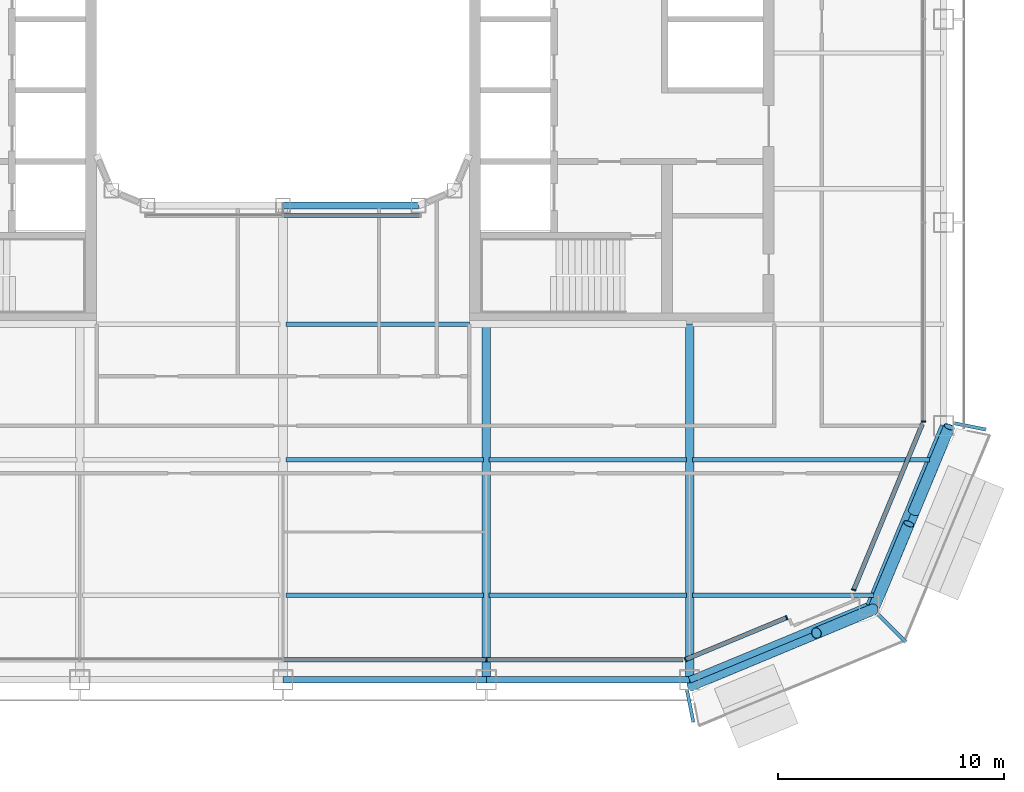
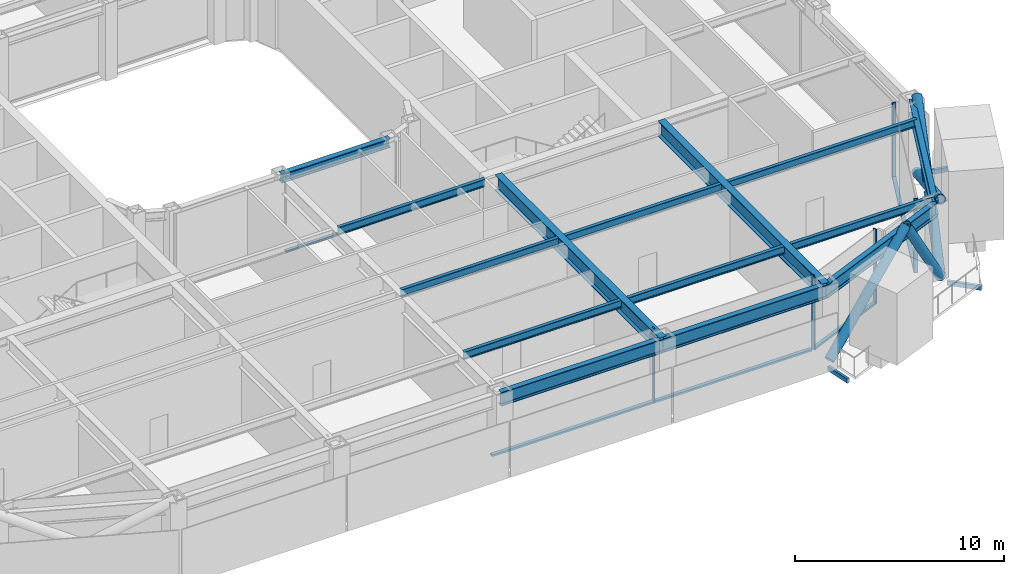
# One storey, part 4 of 23: 17 beams, 15 members, 5 elements without a shape of their own.
"""IFC4 building model written with IfcOpenShell, lengths in metres."""

import ifcopenshell
import ifcopenshell.guid

model = None  # the IFC model being written
_history = None  # IfcOwnerHistory: only IFC2X3 demands one
_inside = {}  # id of a spatial element -> (the spatial element, [elements in it])
_under = {}  # id of a project, library or spatial element -> (it, [spatial elements below it])
_declared = {}  # id of a project -> (the project, [libraries it declares])
_typed = {}  # id of a type object -> (the type object, [elements of that type])
_made_of = {}  # id of a material, layer set ... -> (it, [elements and type objects made of it])


def new_model(schema):
    """Start an empty IFC model of exactly this schema.

    Asked for "IFC4X3", IfcOpenShell would pick the latest addendum, in which some entities
    have other attributes; the version numbers below select the first issue.
    IFC2X3 requires an IfcOwnerHistory on every rooted entity: one is made here for all.
    """
    global model, _history
    if schema == "IFC4X3":
        model = ifcopenshell.file(schema_version=(4, 3, 0, 0))
    else:
        model = ifcopenshell.file(schema=schema)
    _inside.clear()
    _under.clear()
    _declared.clear()
    _typed.clear()
    _made_of.clear()
    _history = None
    if model.schema == "IFC2X3":
        org = make("IfcOrganization", Name="unknown")
        user = make(
            "IfcPersonAndOrganization",
            ThePerson=make("IfcPerson", FamilyName="unknown"),
            TheOrganization=org,
        )
        app = make(
            "IfcApplication",
            ApplicationDeveloper=org,
            Version="unknown",
            ApplicationFullName="unknown",
            ApplicationIdentifier="unknown",
        )
        _history = make(
            "IfcOwnerHistory",
            OwningUser=user,
            OwningApplication=app,
            ChangeAction="ADDED",
            CreationDate=0,
        )
    return model


def make(cls, **values):
    """One entity of the class cls with the attributes given. An attribute that is None is left unset."""
    return model.create_entity(
        cls, **{name: value for name, value in values.items() if value is not None}
    )


def rooted(cls, **values):
    """An entity with a GlobalId (a new one), such as an element, a storey or a relation."""
    return make(cls, GlobalId=ifcopenshell.guid.new(), OwnerHistory=_history, **values)


def si_unit(unit_type, name, prefix=None):
    """IfcSIUnit, for example si_unit("LENGTHUNIT", "METRE", prefix="MILLI")."""
    return make("IfcSIUnit", UnitType=unit_type, Prefix=prefix, Name=name)


def assignment(units):
    """IfcUnitAssignment: the units of a project."""
    return None if units is None else make("IfcUnitAssignment", Units=units)


def point(xyz):
    """IfcCartesianPoint."""
    return None if xyz is None else make("IfcCartesianPoint", Coordinates=xyz)


def direction(xyz):
    """IfcDirection."""
    return None if xyz is None else make("IfcDirection", DirectionRatios=xyz)


def frame(location, z_axis=None, x_axis=None):
    """IfcAxis2Placement3D, a coordinate frame: its origin and axes. An axis left out is left unset."""
    return make(
        "IfcAxis2Placement3D",
        Location=point(location),
        Axis=direction(z_axis),
        RefDirection=direction(x_axis),
    )


def frame_2d(location, x_axis=None):
    """IfcAxis2Placement2D, a coordinate frame in the plane: its origin and x axis."""
    return make(
        "IfcAxis2Placement2D", Location=point(location), RefDirection=direction(x_axis)
    )


def origin():
    """The frame at (0, 0, 0) with its axes left unset."""
    return frame((0.0, 0.0, 0.0))


def origin_2d():
    """The frame at (0, 0) in the plane with its x axis left unset."""
    return frame_2d((0.0, 0.0))


def place(relative_to, where):
    """IfcLocalPlacement: puts the frame where relative to a parent placement (None: the world)."""
    return make(
        "IfcLocalPlacement", PlacementRelTo=relative_to, RelativePlacement=where
    )


def context(
    kind, dimensions, precision=None, world=None, true_north=None, identifier=None
):
    """IfcGeometricRepresentationContext, for example the 3D "Model" context."""
    return make(
        "IfcGeometricRepresentationContext",
        ContextIdentifier=identifier,
        ContextType=kind,
        CoordinateSpaceDimension=dimensions,
        Precision=precision,
        WorldCoordinateSystem=world,
        TrueNorth=true_north,
    )


def subcontext(parent, identifier, kind, view, scale=None):
    """IfcGeometricRepresentationSubContext, for example "Body" below "Model"."""
    return make(
        "IfcGeometricRepresentationSubContext",
        ContextIdentifier=identifier,
        ContextType=kind,
        ParentContext=parent,
        TargetScale=scale,
        TargetView=view,
    )


def project(units=None, contexts=None):
    """IfcProject with its units and contexts."""
    return rooted(
        "IfcProject",
        Name="project",
        RepresentationContexts=contexts,
        UnitsInContext=assignment(units),
    )


def spatial(cls, under=None, at=None, **own):
    """A site, building, storey or space (cls), placed at a placement, below another one or the project."""
    s = rooted(cls, ObjectPlacement=at, **own)
    if under is not None:
        _under.setdefault(under.id(), (under, []))[1].append(s)
    return s


def profile(cls, at=None, kind="AREA", **sizes):
    """A parametric profile (cls). Its sizes go by their IFC names, for example OverallWidth=200.0."""
    return make(cls, ProfileType=kind, Position=at, **sizes)


def rectangle(**sizes):
    """IfcRectangleProfileDef."""
    return profile("IfcRectangleProfileDef", **sizes)


def hollow_rectangle(**sizes):
    """IfcRectangleHollowProfileDef."""
    return profile("IfcRectangleHollowProfileDef", **sizes)


def hollow_circle(**sizes):
    """IfcCircleHollowProfileDef."""
    return profile("IfcCircleHollowProfileDef", **sizes)


def i_section(**sizes):
    """IfcIShapeProfileDef."""
    return profile("IfcIShapeProfileDef", **sizes)


def extrude(swept, where, along, depth):
    """IfcExtrudedAreaSolid: the profile swept, set in the frame where, extruded along a direction by depth."""
    return make(
        "IfcExtrudedAreaSolid",
        SweptArea=swept,
        Position=where,
        ExtrudedDirection=direction(along),
        Depth=depth,
    )


def shape(context_of_items, identifier, shape_type, items):
    """IfcShapeRepresentation: the items that make up one representation, for example the "Body"."""
    return make(
        "IfcShapeRepresentation",
        ContextOfItems=context_of_items,
        RepresentationIdentifier=identifier,
        RepresentationType=shape_type,
        Items=items,
    )


def material(Name=None, Category=None):
    """IfcMaterial."""
    return make("IfcMaterial", Name=Name, Category=Category)


def layer(
    of_material, thickness, ventilated=None, Name=None, Category=None, Priority=None
):
    """IfcMaterialLayer: one layer of a wall or slab, of a material (None: an air gap)."""
    return make(
        "IfcMaterialLayer",
        Material=of_material,
        LayerThickness=thickness,
        IsVentilated=ventilated,
        Name=Name,
        Category=Category,
        Priority=Priority,
    )


def layer_set(layers, Name=None):
    """IfcMaterialLayerSet."""
    return make("IfcMaterialLayerSet", MaterialLayers=layers, LayerSetName=Name)


def material_profile(
    of_material, cross_section, Name=None, Category=None, Priority=None
):
    """IfcMaterialProfile: a cross section and its material."""
    return make(
        "IfcMaterialProfile",
        Name=Name,
        Material=of_material,
        Profile=cross_section,
        Priority=Priority,
        Category=Category,
    )


def profile_set(profiles, Name=None, composite=None):
    """IfcMaterialProfileSet."""
    return make(
        "IfcMaterialProfileSet",
        Name=Name,
        MaterialProfiles=profiles,
        CompositeProfile=composite,
    )


def made_of(thing, what):
    """Note that an element or type object is made of a material, layer set ...; save() writes the relation."""
    if what is not None:
        _made_of.setdefault(what.id(), (what, []))[1].append(thing)
    return thing


def type_object(cls, material=None, **own):
    """A type object (cls), such as IfcWallType, which elements share."""
    return made_of(rooted(cls, **own), material)


def element(
    cls,
    number,
    at=None,
    inside=None,
    cuts=None,
    type_object=None,
    material=None,
    context=None,
    identifier="Body",
    shape_type=None,
    held_by="IfcProductDefinitionShape",
    body=None,
    shapes=None,
    **own,
):
    """One element of the class cls, such as IfcWall. Its Tag is "e" and its number.

    at: its placement. inside: the storey or other place that contains it. cuts: it is an
    opening in that element (IfcRelVoidsElement). A single representation is given by context,
    identifier, shape_type and body (its items); several are given by shapes. held_by: the class
    of the entity that holds the representations. save() writes the other relations.
    """
    e = rooted(cls, Tag="e%d" % number, ObjectPlacement=at, **own)
    if body is not None:
        shapes = [shape(context, identifier, shape_type, body)]
    if shapes is not None:
        e.Representation = make(held_by, Representations=shapes)
    if inside is not None:
        _inside.setdefault(inside.id(), (inside, []))[1].append(e)
    if cuts is not None:
        rooted(
            "IfcRelVoidsElement", RelatingBuildingElement=cuts, RelatedOpeningElement=e
        )
    if type_object is not None:
        _typed.setdefault(type_object.id(), (type_object, []))[1].append(e)
    return made_of(e, material)


def aggregate(whole, parts):
    """IfcRelAggregates: a whole, such as a stair, and the parts it consists of."""
    return rooted("IfcRelAggregates", RelatingObject=whole, RelatedObjects=parts)


def save(model, path):
    """Write the relations noted so far, then the file.

    IfcRelAggregates (storeys below a building ...), IfcRelContainedInSpatialStructure (elements
    in a storey), IfcRelDefinesByType, IfcRelAssociatesMaterial and IfcRelDeclares: one each for
    every whole, place, type object, material and project.
    """
    for whole, parts in _under.values():
        aggregate(whole, parts)
    for where, things in _inside.values():
        rooted(
            "IfcRelContainedInSpatialStructure",
            RelatedElements=things,
            RelatingStructure=where,
        )
    for kind, things in _typed.values():
        rooted("IfcRelDefinesByType", RelatedObjects=things, RelatingType=kind)
    for what, things in _made_of.values():
        rooted("IfcRelAssociatesMaterial", RelatedObjects=things, RelatingMaterial=what)
    for by, libraries in _declared.values():
        rooted("IfcRelDeclares", RelatingContext=by, RelatedDefinitions=libraries)
    model.write(path)


model = new_model("IFC4")

# Units and contexts
model_context = context("Model", 3, precision=1e-05, world=origin(), true_north=direction((0.0, 1.0)))
body_context = subcontext(model_context, "Body", "Model", "MODEL_VIEW")
ifc_project = project(units=[si_unit("LENGTHUNIT", "METRE"), si_unit("AREAUNIT", "SQUARE_METRE"), si_unit("VOLUMEUNIT", "CUBIC_METRE"), si_unit("PLANEANGLEUNIT", "RADIAN"), si_unit("MASSUNIT", "GRAM", prefix="KILO")], contexts=[model_context])

# Site, building, storey
site_placement = place(None, origin())
site = spatial("IfcSite", under=ifc_project, at=site_placement, CompositionType="ELEMENT")
building_placement = place(site_placement, origin())
building = spatial("IfcBuilding", under=site, at=building_placement, Name="Siwar Civic Tower", CompositionType="ELEMENT")
storey_placement = place(building_placement, frame((0.0, 0.0, 163.199951171875)))
storey = spatial("IfcBuildingStorey", under=building, at=storey_placement, Name="L35", CompositionType="ELEMENT", Elevation=163.199951171875)

# Beams
ifc_material_1 = material(Name="Steel S355", Category="steel")
ifc_material_profile_1 = material_profile(ifc_material_1, hollow_rectangle(XDim=0.14990234375, YDim=0.25, WallThickness=0.010009765625, at=origin_2d()), Name="RHS250x150x10")
ifc_profile_set_1 = profile_set([ifc_material_profile_1], Name="Steel S355")
beam_type_1 = type_object("IfcBeamType", Name="ENV-BALCONY ARM", PredefinedType="BEAM", material=ifc_profile_set_1)
beam_1_placement = place(storey_placement, frame((17.887451171875, -29.709716796875, -0.27490234375), z_axis=(0.195191657493, -0.980765118081, 0.0), x_axis=(0.980765118081, 0.195191657493, 0.0)))
element("IfcBeam", 1, at=beam_1_placement, inside=storey, type_object=beam_type_1, Name="Balcony cantilever beam SE 1", PredefinedType="BEAM", context=body_context, shape_type="SweptSolid", body=[
    extrude(hollow_rectangle(XDim=0.14990234375, YDim=0.25, WallThickness=0.010009765625, at=origin_2d()), origin(), (0.0, 0.0, 1.0), 1.422119140625),
])
beam_2_placement = place(storey_placement, frame((26.36962890625, -26.36962890625, -0.27490234375), z_axis=(0.707106781187, -0.707106781187, 0.0), x_axis=(0.707106781187, 0.707106781187, 0.0)))
element("IfcBeam", 2, at=beam_2_placement, inside=storey, type_object=beam_type_1, Name="Balcony cantilever beam SE 2", PredefinedType="BEAM", context=body_context, shape_type="SweptSolid", body=[
    extrude(hollow_rectangle(XDim=0.14990234375, YDim=0.25, WallThickness=0.010009765625, at=origin_2d()), origin(), (0.0, 0.0, 1.0), 1.6865234375),
])
beam_3_placement = place(storey_placement, frame((29.709716796875, -17.887451171875, -0.27490234375), z_axis=(0.980765118081, -0.195191657493, 0.0), x_axis=(0.195191657493, 0.980765118081, 0.0)))
element("IfcBeam", 3, at=beam_3_placement, inside=storey, type_object=beam_type_1, Name="Balcony cantilever beam SE 3", PredefinedType="BEAM", context=body_context, shape_type="SweptSolid", body=[
    extrude(hollow_rectangle(XDim=0.14990234375, YDim=0.25, WallThickness=0.010009765625, at=origin_2d()), origin(), (0.0, 0.0, 1.0), 1.422119140625),
])

# Curtain wall, member
ifc_material_2 = material(Name="Aluminium and glass", Category="aluminium")
ifc_layer_1 = layer(ifc_material_2, 0.199951171875)
ifc_layer_set_1 = layer_set([ifc_layer_1], Name="Aluminium and glass")
curtain_wall_type_1 = type_object("IfcCurtainWallType", Name="ENV-CW-B", PredefinedType="NOTDEFINED", material=ifc_layer_set_1)
curtain_wall_1_placement = place(storey_placement, origin())
curtain_wall_1 = element("IfcCurtainWall", 4, at=curtain_wall_1_placement, inside=storey, type_object=curtain_wall_type_1, Name="Curtain wall B S", PredefinedType="NOTDEFINED")
ifc_material_3 = material(Name="Aluminium 6063-T6", Category="aluminium")
ifc_material_profile_2 = material_profile(ifc_material_3, rectangle(XDim=0.199951171875, YDim=0.06494140625, at=origin_2d()), Name="AL 200x65")
ifc_profile_set_2 = profile_set([ifc_material_profile_2], Name="Aluminium 6063-T6")
member_type_1 = type_object("IfcMemberType", Name="ENV-MULLION-B", PredefinedType="MULLION", material=ifc_profile_set_2)
member_1_placement = place(storey_placement, frame((9.0, -28.35009765625, 0.0), z_axis=(0.0, 0.0, 1.0), x_axis=(0.0, 1.0, 0.0)))
member_1 = element("IfcMember", 5, at=member_1_placement, type_object=member_type_1, Name="Mullion B S 4", PredefinedType="MULLION", context=body_context, shape_type="SweptSolid", body=[
    extrude(rectangle(XDim=0.199951171875, YDim=0.06494140625, at=origin_2d()), origin(), (0.0, 0.0, 1.0), 4.35009765625),
])

# Curtain wall, members
ifc_material_4 = material(Name="Aluminium clad insulated panel", Category="aluminium")
ifc_layer_2 = layer(ifc_material_4, 0.199951171875)
ifc_layer_set_2 = layer_set([ifc_layer_2], Name="Aluminium clad insulated panel")
curtain_wall_type_2 = type_object("IfcCurtainWallType", Name="ENV-CW-BX", PredefinedType="NOTDEFINED", material=ifc_layer_set_2)
curtain_wall_2_placement = place(storey_placement, origin())
curtain_wall_2 = element("IfcCurtainWall", 6, at=curtain_wall_2_placement, inside=storey, type_object=curtain_wall_type_2, Name="Curtain wall B SE1", PredefinedType="NOTDEFINED")
member_2_placement = place(storey_placement, frame((17.821044921875, -28.35009765625, 0.0), z_axis=(0.0, 0.0, 1.0), x_axis=(-0.382683432365, 0.923879532511, 0.0)))
member_2 = element("IfcMember", 7, at=member_2_placement, type_object=member_type_1, Name="Mullion B SE1 1", PredefinedType="MULLION", context=body_context, shape_type="SweptSolid", body=[
    extrude(rectangle(XDim=0.199951171875, YDim=0.06494140625, at=origin_2d()), origin(), (0.0, 0.0, 1.0), 4.35009765625),
])
member_3_placement = place(storey_placement, frame((22.299072265625, -26.4951171875, 0.0), z_axis=(0.0, 0.0, 1.0), x_axis=(-0.382683432365, 0.923879532511, 0.0)))
member_3 = element("IfcMember", 8, at=member_3_placement, type_object=member_type_1, Name="Mullion B SE1 2", PredefinedType="MULLION", context=body_context, shape_type="SweptSolid", body=[
    extrude(rectangle(XDim=0.199951171875, YDim=0.06494140625, at=origin_2d()), origin(), (0.0, 0.0, 1.0), 4.35009765625),
])

# Curtain wall, member
curtain_wall_3_placement = place(storey_placement, origin())
curtain_wall_3 = element("IfcCurtainWall", 9, at=curtain_wall_3_placement, inside=storey, type_object=curtain_wall_type_2, Name="Curtain wall B SE2", PredefinedType="NOTDEFINED")
member_4_placement = place(storey_placement, frame((25.26611328125, -25.26611328125, 0.0), z_axis=(0.0, 0.0, 1.0), x_axis=(-0.923879532511, 0.382683432365, 0.0)))
member_4 = element("IfcMember", 10, at=member_4_placement, type_object=member_type_1, Name="Mullion B SE2 1", PredefinedType="MULLION", context=body_context, shape_type="SweptSolid", body=[
    extrude(rectangle(XDim=0.199951171875, YDim=0.06494140625, at=origin_2d()), origin(), (0.0, 0.0, 1.0), 4.35009765625),
])

curtain_wall_4_placement = place(storey_placement, origin())
curtain_wall_4 = element("IfcCurtainWall", 11, at=curtain_wall_4_placement, inside=storey, type_object=curtain_wall_type_1, Name="Curtain wall B E", PredefinedType="NOTDEFINED")
member_5_placement = place(storey_placement, frame((28.35009765625, -17.821044921875, 0.0), z_axis=(0.0, 0.0, 1.0), x_axis=(-1.0, 0.0, 0.0)))
member_5 = element("IfcMember", 12, at=member_5_placement, type_object=member_type_1, Name="Mullion B E 1", PredefinedType="MULLION", context=body_context, shape_type="SweptSolid", body=[
    extrude(rectangle(XDim=0.199951171875, YDim=0.06494140625, at=origin_2d()), origin(), (0.0, 0.0, 1.0), 4.35009765625),
])
aggregate(curtain_wall_4, [member_5])

# Member
ifc_material_5 = material(Name="Aluminium 6063-T6", Category="aluminium")
ifc_material_profile_3 = material_profile(ifc_material_5, rectangle(XDim=0.199951171875, YDim=0.110107421875, at=origin_2d()), Name="AL 200x110")
ifc_profile_set_3 = profile_set([ifc_material_profile_3], Name="Aluminium 6063-T6")
member_type_2 = type_object("IfcMemberType", Name="ENV-TRANSOM-B", PredefinedType="USERDEFINED", material=ifc_profile_set_3)
member_6_placement = place(storey_placement, frame((0.032470703125, -28.35009765625, 0.054931640625), z_axis=(1.0, 0.0, 0.0), x_axis=(0.0, 1.0, 0.0)))
member_6 = element("IfcMember", 13, at=member_6_placement, type_object=member_type_2, Name="Transom B S 3", ObjectType="TRANSOM", PredefinedType="USERDEFINED", context=body_context, shape_type="SweptSolid", body=[
    extrude(rectangle(XDim=0.199951171875, YDim=0.110107421875, at=origin_2d()), origin(), (0.0, 0.0, 1.0), 8.93505859375),
])

member_7_placement = place(storey_placement, frame((9.032470703125, -28.35009765625, 0.054931640625), z_axis=(1.0, 0.0, 0.0), x_axis=(0.0, 1.0, 0.0)))
member_7 = element("IfcMember", 14, at=member_7_placement, type_object=member_type_2, Name="Transom B S 4", ObjectType="TRANSOM", PredefinedType="USERDEFINED", context=body_context, shape_type="SweptSolid", body=[
    extrude(rectangle(XDim=0.199951171875, YDim=0.110107421875, at=origin_2d()), origin(), (0.0, 0.0, 1.0), 8.6748046875),
])

aggregate(curtain_wall_1, [member_1, member_6, member_7])

member_8_placement = place(storey_placement, frame((17.85107421875, -28.337646484375, 0.054931640625), z_axis=(0.923872467912, 0.382700487371, 0.0), x_axis=(-0.382700487371, 0.923872467912, 0.0)))
member_8 = element("IfcMember", 15, at=member_8_placement, type_object=member_type_2, Name="Transom B SE1 1", ObjectType="TRANSOM", PredefinedType="USERDEFINED", context=body_context, shape_type="SweptSolid", body=[
    extrude(rectangle(XDim=0.199951171875, YDim=0.110107421875, at=origin_2d()), origin(), (0.0, 0.0, 1.0), 4.781982421875),
])

aggregate(curtain_wall_2, [member_2, member_3, member_8])

member_9_placement = place(storey_placement, frame((25.278564453125, -25.236083984375, 0.054931640625), z_axis=(0.382673358825, 0.923883705044, 0.0), x_axis=(-0.923883705044, 0.382673358825, 0.0)))
member_9 = element("IfcMember", 16, at=member_9_placement, type_object=member_type_2, Name="Transom B SE2 1", ObjectType="TRANSOM", PredefinedType="USERDEFINED", context=body_context, shape_type="SweptSolid", body=[
    extrude(rectangle(XDim=0.199951171875, YDim=0.110107421875, at=origin_2d()), origin(), (0.0, 0.0, 1.0), 7.912353515625),
])

aggregate(curtain_wall_3, [member_4, member_9])

# Curtain wall, member
ifc_material_6 = material(Name="Aluminium and glass", Category="aluminium")
ifc_layer_3 = layer(ifc_material_6, 0.179931640625)
ifc_layer_set_3 = layer_set([ifc_layer_3], Name="Aluminium and glass")
curtain_wall_type_3 = type_object("IfcCurtainWallType", Name="ENV-CW-W", PredefinedType="NOTDEFINED", material=ifc_layer_set_3)
curtain_wall_5_placement = place(storey_placement, origin())
curtain_wall_5 = element("IfcCurtainWall", 17, at=curtain_wall_5_placement, inside=storey, type_object=curtain_wall_type_3, Name="Curtain wall W WS", PredefinedType="NOTDEFINED")
ifc_material_7 = material(Name="Aluminium 6063-T6", Category="aluminium")
ifc_material_profile_4 = material_profile(ifc_material_7, rectangle(XDim=0.179931640625, YDim=0.10009765625, at=origin_2d()), Name="AL 180x100")
ifc_profile_set_4 = profile_set([ifc_material_profile_4], Name="Aluminium 6063-T6")
member_type_3 = type_object("IfcMemberType", Name="ENV-TRANSOM-W", PredefinedType="USERDEFINED", material=ifc_profile_set_4)
member_10_placement = place(storey_placement, frame((0.030029296875, -8.68505859375, 0.050048828125), z_axis=(1.0, 0.0, 0.0), x_axis=(0.0, 1.0, 0.0)))
member_10 = element("IfcMember", 18, at=member_10_placement, type_object=member_type_3, Name="Transom W WS 2", ObjectType="TRANSOM", PredefinedType="USERDEFINED", context=body_context, shape_type="SweptSolid", body=[
    extrude(rectangle(XDim=0.179931640625, YDim=0.10009765625, at=origin_2d()), origin(), (0.0, 0.0, 1.0), 6.026611328125),
])
aggregate(curtain_wall_5, [member_10])

# Members
ifc_material_8 = material(Name="Steel S355", Category="steel")
ifc_material_profile_5 = material_profile(ifc_material_8, hollow_circle(Radius=0.25390625, WallThickness=0.02490234375, at=origin_2d()), Name="CHS508x25")
ifc_profile_set_5 = profile_set([ifc_material_profile_5], Name="Steel S355")
member_type_4 = type_object("IfcMemberType", Name="STR-BR-CHS508x25", PredefinedType="BRACE", material=ifc_profile_set_5)
member_11_placement = place(storey_placement, frame((29.4951171875, -18.048828125, 0.0), z_axis=(-0.341671493852, -0.821142553604, 0.457149315816), x_axis=(0.923264922524, -0.384163874976, 0.0)))
element("IfcMember", 19, at=member_11_placement, inside=storey, type_object=member_type_4, Name="L35/brc/BSE1-14-0-1", PredefinedType="BRACE", context=body_context, shape_type="SweptSolid", body=[
    extrude(hollow_circle(Radius=0.25390625, WallThickness=0.02490234375, at=origin_2d()), origin(), (0.0, 0.0, 1.0), 9.843505859375),
])
member_12_placement = place(storey_placement, frame((26.1318359375, -26.1318359375, 0.0), z_axis=(0.341662474736, 0.821143275065, 0.457154760636), x_axis=(-0.923268638995, 0.384154943021, 0.0)))
element("IfcMember", 20, at=member_12_placement, inside=storey, type_object=member_type_4, Name="L35/brc/BSE1-14-0-2", PredefinedType="BRACE", context=body_context, shape_type="SweptSolid", body=[
    extrude(hollow_circle(Radius=0.25390625, WallThickness=0.02490234375, at=origin_2d()), origin(), (0.0, 0.0, 1.0), 4.61474609375),
])
member_13_placement = place(storey_placement, frame((27.91845703125, -21.837890625, 2.390625), z_axis=(0.34168558233, 0.821145902409, 0.457132770413), x_axis=(-0.923259859753, 0.384176042158, 0.0)))
element("IfcMember", 21, at=member_13_placement, inside=storey, type_object=member_type_4, Name="L35/brc/BSE1-14-0-3", PredefinedType="BRACE", context=body_context, shape_type="SweptSolid", body=[
    extrude(hollow_circle(Radius=0.25390625, WallThickness=0.02490234375, at=origin_2d()), origin(), (0.0, 0.0, 1.0), 4.6142578125),
])
member_14_placement = place(storey_placement, frame((18.048828125, -29.4951171875, 0.0), z_axis=(0.739973158344, 0.307903068035, 0.598026275029), x_axis=(-0.384169803352, 0.923262455747, 0.0)))
element("IfcMember", 22, at=member_14_placement, inside=storey, type_object=member_type_4, Name="L35/brc/BSE1-14-0-0", PredefinedType="BRACE", context=body_context, shape_type="SweptSolid", body=[
    extrude(hollow_circle(Radius=0.25390625, WallThickness=0.02490234375, at=origin_2d()), origin(), (0.0, 0.0, 1.0), 7.524658203125),
])
member_15_placement = place(storey_placement, frame((26.1318359375, -26.1318359375, 0.0), z_axis=(-0.478099094869, -0.198925611165, 0.855482236349), x_axis=(0.384150749045, -0.92327038402, 0.0)))
element("IfcMember", 23, at=member_15_placement, inside=storey, type_object=member_type_4, Name="L35/brc/BSE1-14-0-6", PredefinedType="BRACE", context=body_context, shape_type="SweptSolid", body=[
    extrude(hollow_circle(Radius=0.25390625, WallThickness=0.02490234375, at=origin_2d()), origin(), (0.0, 0.0, 1.0), 5.26025390625),
])

# Beams
ifc_material_9 = material(Name="Steel S355", Category="steel")
ifc_material_profile_6 = material_profile(ifc_material_9, i_section(OverallWidth=0.18994140625, OverallDepth=0.449951171875, WebThickness=0.009521484375, FlangeThickness=0.0146484375, FilletRadius=0.02099609375, at=origin_2d()), Name="IPE450")
ifc_profile_set_6 = profile_set([ifc_material_profile_6], Name="Steel S355")
beam_type_2 = type_object("IfcBeamType", Name="STR-FB-IPE450", PredefinedType="JOIST", material=ifc_profile_set_6)
for number, where, z_axis, x_axis, name in (
    (24, (0.1298828125, -25.5, 4.125), (1.0, 0.0, 0.0), (0.0, 1.0, 0.0), "L35/bm/F004"),
    (25, (9.1298828125, -25.5, 4.125), (1.0, 0.0, 0.0), (0.0, 1.0, 0.0), "L35/bm/F005"),
):
    element("IfcBeam", number, at=place(storey_placement, frame(where, z_axis=z_axis, x_axis=x_axis)), inside=storey, type_object=beam_type_2, Name=name, PredefinedType="JOIST", context=body_context, shape_type="SweptSolid", body=[
        extrude(i_section(OverallWidth=0.18994140625, OverallDepth=0.449951171875, WebThickness=0.009521484375, FlangeThickness=0.0146484375, FilletRadius=0.02099609375, at=origin_2d()), origin(), (0.0, 0.0, 1.0), 8.740234375),
    ])
beam_4_placement = place(storey_placement, frame((18.1298828125, -25.5, 4.125), z_axis=(1.0, 0.0, 0.0), x_axis=(0.0, 1.0, 0.0)))
element("IfcBeam", 26, at=beam_4_placement, inside=storey, type_object=beam_type_2, Name="L35/bm/F006", PredefinedType="JOIST", context=body_context, shape_type="SweptSolid", body=[
    extrude(i_section(OverallWidth=0.18994140625, OverallDepth=0.449951171875, WebThickness=0.009521484375, FlangeThickness=0.0146484375, FilletRadius=0.02099609375, at=origin_2d()), origin(), (0.0, 0.0, 1.0), 8.013427734375),
])
for number, where, z_axis, x_axis, name in (
    (27, (0.1298828125, -19.5, 4.125), (1.0, 0.0, 0.0), (0.0, 1.0, 0.0), "L35/bm/F010"),
    (28, (9.1298828125, -19.5, 4.125), (1.0, 0.0, 0.0), (0.0, 1.0, 0.0), "L35/bm/F011"),
):
    element("IfcBeam", number, at=place(storey_placement, frame(where, z_axis=z_axis, x_axis=x_axis)), inside=storey, type_object=beam_type_2, Name=name, PredefinedType="JOIST", context=body_context, shape_type="SweptSolid", body=[
        extrude(i_section(OverallWidth=0.18994140625, OverallDepth=0.449951171875, WebThickness=0.009521484375, FlangeThickness=0.0146484375, FilletRadius=0.02099609375, at=origin_2d()), origin(), (0.0, 0.0, 1.0), 8.740234375),
    ])
beam_5_placement = place(storey_placement, frame((18.1298828125, -19.5, 4.125), z_axis=(1.0, 0.0, 0.0), x_axis=(0.0, 1.0, 0.0)))
element("IfcBeam", 29, at=beam_5_placement, inside=storey, type_object=beam_type_2, Name="L35/bm/F012", PredefinedType="JOIST", context=body_context, shape_type="SweptSolid", body=[
    extrude(i_section(OverallWidth=0.18994140625, OverallDepth=0.449951171875, WebThickness=0.009521484375, FlangeThickness=0.0146484375, FilletRadius=0.02099609375, at=origin_2d()), origin(), (0.0, 0.0, 1.0), 10.498779296875),
])
beam_6_placement = place(storey_placement, frame((0.1298828125, -13.5, 4.125), z_axis=(1.0, 0.0, 0.0), x_axis=(0.0, 1.0, 0.0)))
element("IfcBeam", 30, at=beam_6_placement, inside=storey, type_object=beam_type_2, Name="L35/bm/F017", PredefinedType="JOIST", context=body_context, shape_type="SweptSolid", body=[
    extrude(i_section(OverallWidth=0.18994140625, OverallDepth=0.449951171875, WebThickness=0.009521484375, FlangeThickness=0.0146484375, FilletRadius=0.02099609375, at=origin_2d()), origin(), (0.0, 0.0, 1.0), 8.1201171875),
])
ifc_material_10 = material(Name="Steel S355", Category="steel")
ifc_material_profile_7 = material_profile(ifc_material_10, i_section(OverallWidth=0.3798828125, OverallDepth=0.89990234375, WebThickness=0.01611328125, FlangeThickness=0.035888671875, at=origin_2d()), Name="PG900x380x16x36")
ifc_profile_set_7 = profile_set([ifc_material_profile_7], Name="Steel S355")
beam_type_3 = type_object("IfcBeamType", Name="STR-PG-PG900x380x16x36", PredefinedType="BEAM", material=ifc_profile_set_7)
for number, where, z_axis, x_axis, name in (
    (31, (9.0, -29.25, 3.900146484375), (0.0, 1.0, 0.0), (-1.0, 0.0, 0.0), "L35/bm/G07"),
    (32, (18.0, -29.25, 3.900146484375), (0.0, 1.0, 0.0), (-1.0, 0.0, 0.0), "L35/bm/G09"),
):
    element("IfcBeam", number, at=place(storey_placement, frame(where, z_axis=z_axis, x_axis=x_axis)), inside=storey, type_object=beam_type_3, Name=name, PredefinedType="BEAM", context=body_context, shape_type="SweptSolid", body=[
        extrude(i_section(OverallWidth=0.3798828125, OverallDepth=0.89990234375, WebThickness=0.01611328125, FlangeThickness=0.035888671875, at=origin_2d()), origin(), (0.0, 0.0, 1.0), 15.75),
    ])
ifc_material_11 = material(Name="Steel S355", Category="steel")
ifc_material_profile_8 = material_profile(ifc_material_11, i_section(OverallWidth=0.305908203125, OverallDepth=0.52392578125, WebThickness=0.02099609375, FlangeThickness=0.0400390625, FilletRadius=0.027099609375, at=origin_2d()), Name="HEM500")
ifc_profile_set_8 = profile_set([ifc_material_profile_8], Name="Steel S355")
beam_type_4 = type_object("IfcBeamType", Name="STR-RB-HEM500", PredefinedType="BEAM", material=ifc_profile_set_8)
beam_7_placement = place(storey_placement, frame((0.0, -8.25, 4.088134765625), z_axis=(1.0, 0.0, 0.0), x_axis=(0.0, 1.0, 0.0)))
element("IfcBeam", 33, at=beam_7_placement, inside=storey, type_object=beam_type_4, Name="L35/bm/RS2", PredefinedType="BEAM", context=body_context, shape_type="SweptSolid", body=[
    extrude(i_section(OverallWidth=0.305908203125, OverallDepth=0.52392578125, WebThickness=0.02099609375, FlangeThickness=0.0400390625, FilletRadius=0.027099609375, at=origin_2d()), origin(), (0.0, 0.0, 1.0), 6.0),
])
ifc_material_12 = material(Name="Steel S355", Category="steel")
ifc_material_profile_9 = material_profile(ifc_material_12, i_section(OverallWidth=0.300048828125, OverallDepth=0.800048828125, WebThickness=0.017578125, FlangeThickness=0.032958984375, FilletRadius=0.030029296875, at=origin_2d()), Name="HEB800")
ifc_profile_set_9 = profile_set([ifc_material_profile_9], Name="Steel S355")
beam_type_5 = type_object("IfcBeamType", Name="STR-SB-HEB800", PredefinedType="BEAM", material=ifc_profile_set_9)
for number, where, z_axis, x_axis, name in (
    (34, (0.0, -29.25, 3.949951171875), (1.0, 0.0, 0.0), (0.0, 1.0, 0.0), "L35/bm/SS-2"),
    (35, (9.0, -29.25, 3.949951171875), (1.0, 0.0, 0.0), (0.0, 1.0, 0.0), "L35/bm/SS-3"),
):
    element("IfcBeam", number, at=place(storey_placement, frame(where, z_axis=z_axis, x_axis=x_axis)), inside=storey, type_object=beam_type_5, Name=name, PredefinedType="BEAM", context=body_context, shape_type="SweptSolid", body=[
        extrude(i_section(OverallWidth=0.300048828125, OverallDepth=0.800048828125, WebThickness=0.017578125, FlangeThickness=0.032958984375, FilletRadius=0.030029296875, at=origin_2d()), origin(), (0.0, 0.0, 1.0), 9.0),
    ])
for number, where, z_axis, x_axis, name in (
    (36, (18.0, -29.25, 3.949951171875), (0.923872720536, 0.382699877515, 0.0), (-0.382699877515, 0.923872720536, 0.0), "L35/bm/SSE1-0"),
    (37, (25.954833984375, -25.954833984375, 3.949951171875), (0.382699877515, 0.923872720536, 0.0), (-0.923872720536, 0.382699877515, 0.0), "L35/bm/SSE2-0"),
):
    element("IfcBeam", number, at=place(storey_placement, frame(where, z_axis=z_axis, x_axis=x_axis)), inside=storey, type_object=beam_type_5, Name=name, PredefinedType="BEAM", context=body_context, shape_type="SweptSolid", body=[
        extrude(i_section(OverallWidth=0.300048828125, OverallDepth=0.800048828125, WebThickness=0.017578125, FlangeThickness=0.032958984375, FilletRadius=0.030029296875, at=origin_2d()), origin(), (0.0, 0.0, 1.0), 8.6103515625),
    ])

save(model, "model.ifc")
